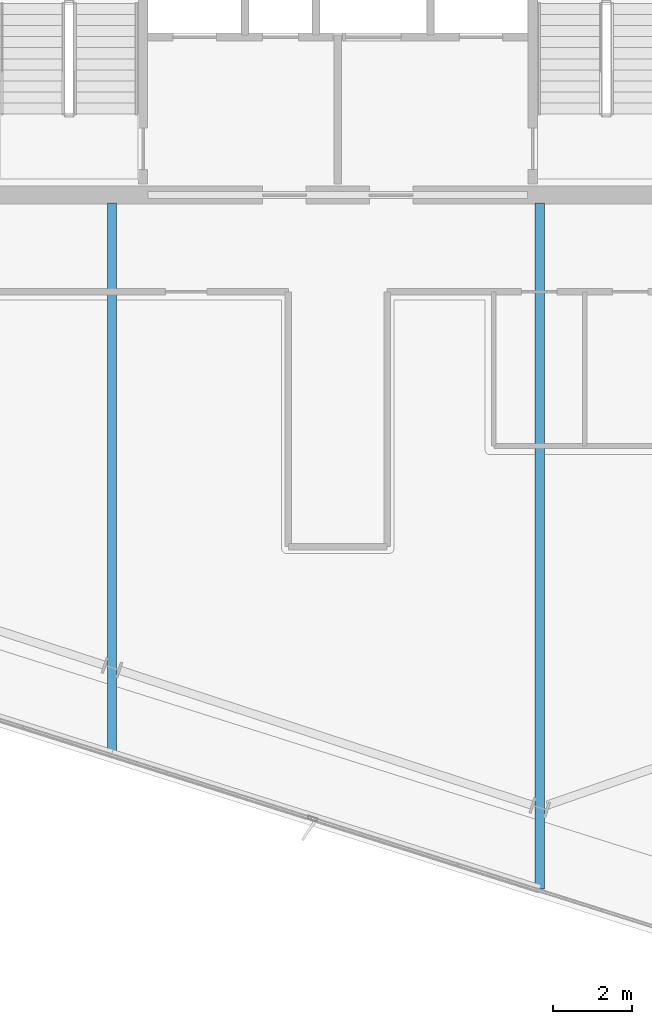
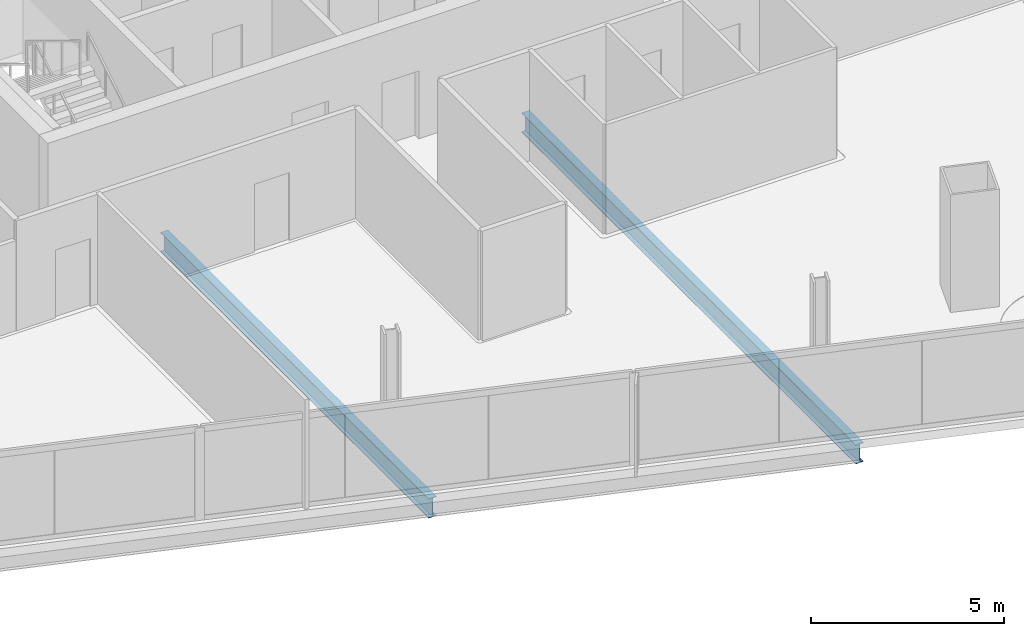
# One storey, part 4 of 26: 2 beams.
"""IFC4 building model written with IfcOpenShell, lengths in metres."""

from ifc_helpers import new_model, si_unit, direction, frame, origin, origin_2d, place, context, subcontext, project, spatial, i_section, extrude, material, material_profile, profile_set, type_object, element, save


model = new_model("IFC4")

# Units and contexts
model_context = context("Model", 3, precision=1e-05, world=origin(), true_north=direction((0.0, 1.0)))
body_context = subcontext(model_context, "Body", "Model", "MODEL_VIEW")
ifc_project = project(units=[si_unit("LENGTHUNIT", "METRE"), si_unit("AREAUNIT", "SQUARE_METRE"), si_unit("VOLUMEUNIT", "CUBIC_METRE"), si_unit("PLANEANGLEUNIT", "RADIAN"), si_unit("MASSUNIT", "GRAM", prefix="KILO")], contexts=[model_context])

# Site, building, storey
site_placement = place(None, origin())
site = spatial("IfcSite", under=ifc_project, at=site_placement, CompositionType="ELEMENT")
building_placement = place(site_placement, origin())
building = spatial("IfcBuilding", under=site, at=building_placement, Name="Haldenkirk Collegiate Tower", CompositionType="ELEMENT")
storey_placement = place(building_placement, frame((0.0, 0.0, 271.199951171875)))
storey = spatial("IfcBuildingStorey", under=building, at=storey_placement, Name="L68", CompositionType="ELEMENT", Elevation=271.199951171875)

# Beams
ifc_material = material(Name="Steel ASTM A992 Grade 50", Category="steel")
ifc_material_profile = material_profile(ifc_material, i_section(OverallWidth=0.22998046875, OverallDepth=0.616943359375, WebThickness=0.01318359375, FlangeThickness=0.022216796875, at=origin_2d()), Name="W24X94")
ifc_profile_set = profile_set([ifc_material_profile], Name="Steel ASTM A992 Grade 50")
beam_type = type_object("IfcBeamType", Name="BM-GIRDER-W24X94", PredefinedType="BEAM", material=ifc_profile_set)
beam_1_placement = place(storey_placement, frame((30.283203125, 3.863525390625, -0.578369140625), z_axis=(0.0, 1.0, 0.0), x_axis=(-1.0, 0.0, 0.0)))
element("IfcBeam", 1, at=beam_1_placement, inside=storey, type_object=beam_type, Name="L68 primary floor girder 15", PredefinedType="BEAM", context=body_context, shape_type="SweptSolid", body=[
    extrude(i_section(OverallWidth=0.22998046875, OverallDepth=0.616943359375, WebThickness=0.01318359375, FlangeThickness=0.022216796875, at=origin_2d()), origin(), (0.0, 0.0, 1.0), 13.931396484375),
])
beam_2_placement = place(storey_placement, frame((41.111083984375, 0.43896484375, -0.578369140625), z_axis=(0.0, 1.0, 0.0), x_axis=(-1.0, 0.0, 0.0)))
element("IfcBeam", 2, at=beam_2_placement, inside=storey, type_object=beam_type, Name="L68 primary floor girder 16", PredefinedType="BEAM", context=body_context, shape_type="SweptSolid", body=[
    extrude(i_section(OverallWidth=0.22998046875, OverallDepth=0.616943359375, WebThickness=0.01318359375, FlangeThickness=0.022216796875, at=origin_2d()), origin(), (0.0, 0.0, 1.0), 17.35595703125),
])

save(model, "model.ifc")
